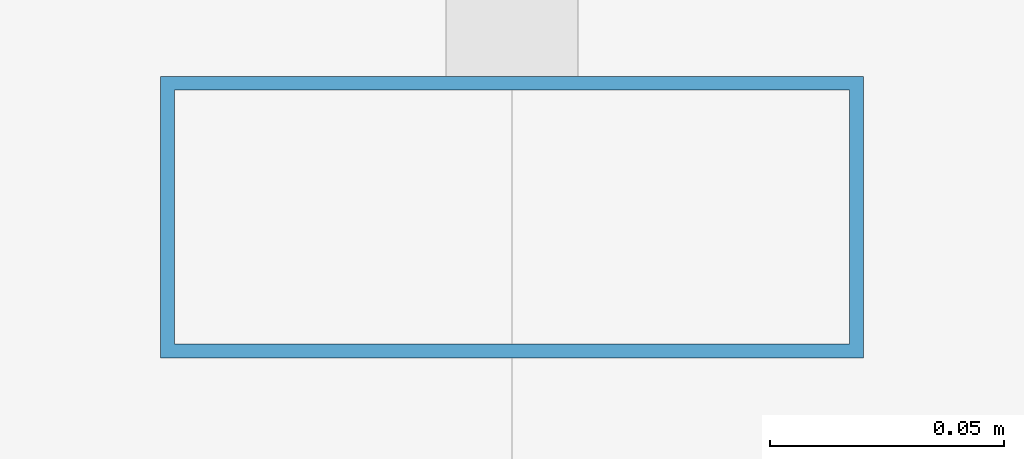
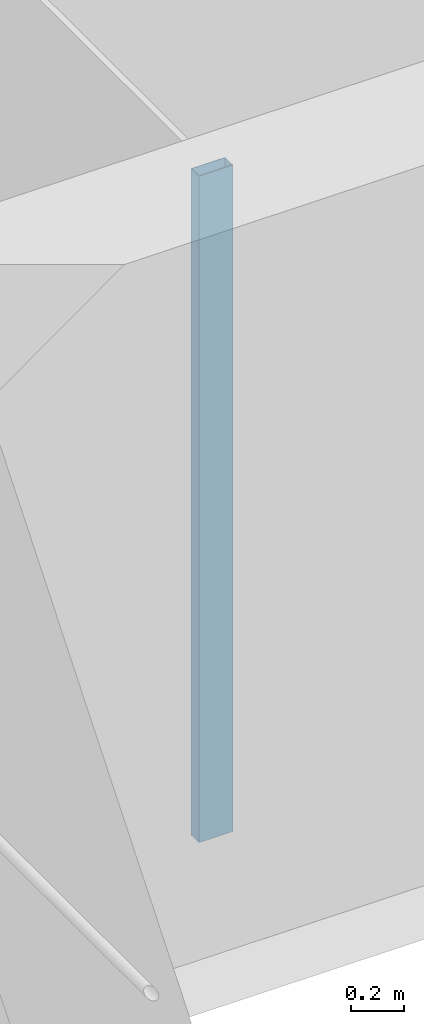
# One storey, part 11 of 40: 1 member, 1 element without a shape of its own.
"""IFC4 building model written with IfcOpenShell, lengths in metres."""

from ifc_helpers import new_model, si_unit, direction, frame, origin, origin_2d, place, context, subcontext, project, spatial, hollow_rectangle, extrude, material, material_profile, profile_set, type_object, element, aggregate, save


model = new_model("IFC4")

# Units and contexts
model_context = context("Model", 3, precision=1e-05, world=origin(), true_north=direction((0.0, 1.0)))
body_context = subcontext(model_context, "Body", "Model", "MODEL_VIEW")
ifc_project = project(units=[si_unit("LENGTHUNIT", "METRE"), si_unit("AREAUNIT", "SQUARE_METRE"), si_unit("VOLUMEUNIT", "CUBIC_METRE"), si_unit("PLANEANGLEUNIT", "RADIAN"), si_unit("MASSUNIT", "GRAM", prefix="KILO")], contexts=[model_context])

# Site, building, storey
site_placement = place(None, origin())
site = spatial("IfcSite", under=ifc_project, at=site_placement, CompositionType="ELEMENT")
building_placement = place(site_placement, origin())
building = spatial("IfcBuilding", under=site, at=building_placement, Name="Altepetl Exchange Towers", CompositionType="ELEMENT")
storey_placement = place(building_placement, frame((0.0, 0.0, 154.60009765625)))
storey = spatial("IfcBuildingStorey", under=building, at=storey_placement, Name="L38", CompositionType="ELEMENT", Elevation=154.60009765625)

# Curtain wall, member
ifc_material_1 = material(Name="Aluminium 6063-T6 glazing", Category="aluminium")
curtain_wall_type = type_object("IfcCurtainWallType", Name="Loggia glazing system", PredefinedType="NOTDEFINED", material=ifc_material_1)
curtain_wall_placement = place(storey_placement, origin())
curtain_wall = element("IfcCurtainWall", 1, at=curtain_wall_placement, inside=storey, type_object=curtain_wall_type, Name="CW1 run", PredefinedType="NOTDEFINED")
ifc_material_2 = material(Name="Aluminium 6063-T6", Category="aluminium")
ifc_material_profile = material_profile(ifc_material_2, hollow_rectangle(XDim=0.06005859375, YDim=0.14990234375, WallThickness=0.0029296875, at=origin_2d()), Name="Mullion 60x150 aluminium")
ifc_profile_set = profile_set([ifc_material_profile], Name="Aluminium 6063-T6")
member_type = type_object("IfcMemberType", Name="Mullion 60x150 aluminium", PredefinedType="MULLION", material=ifc_profile_set)
member_placement = place(storey_placement, frame((42.5, 58.60498046875, 0.0), z_axis=(0.0, 0.0, 1.0), x_axis=(0.0, -1.0, 0.0)))
member = element("IfcMember", 2, at=member_placement, type_object=member_type, Name="MU1 mullion", PredefinedType="MULLION", context=body_context, shape_type="SweptSolid", body=[
    extrude(hollow_rectangle(XDim=0.06005859375, YDim=0.14990234375, WallThickness=0.0029296875, at=origin_2d()), origin(), (0.0, 0.0, 1.0), 3.099853515625),
])
aggregate(curtain_wall, [member])

save(model, "model.ifc")
